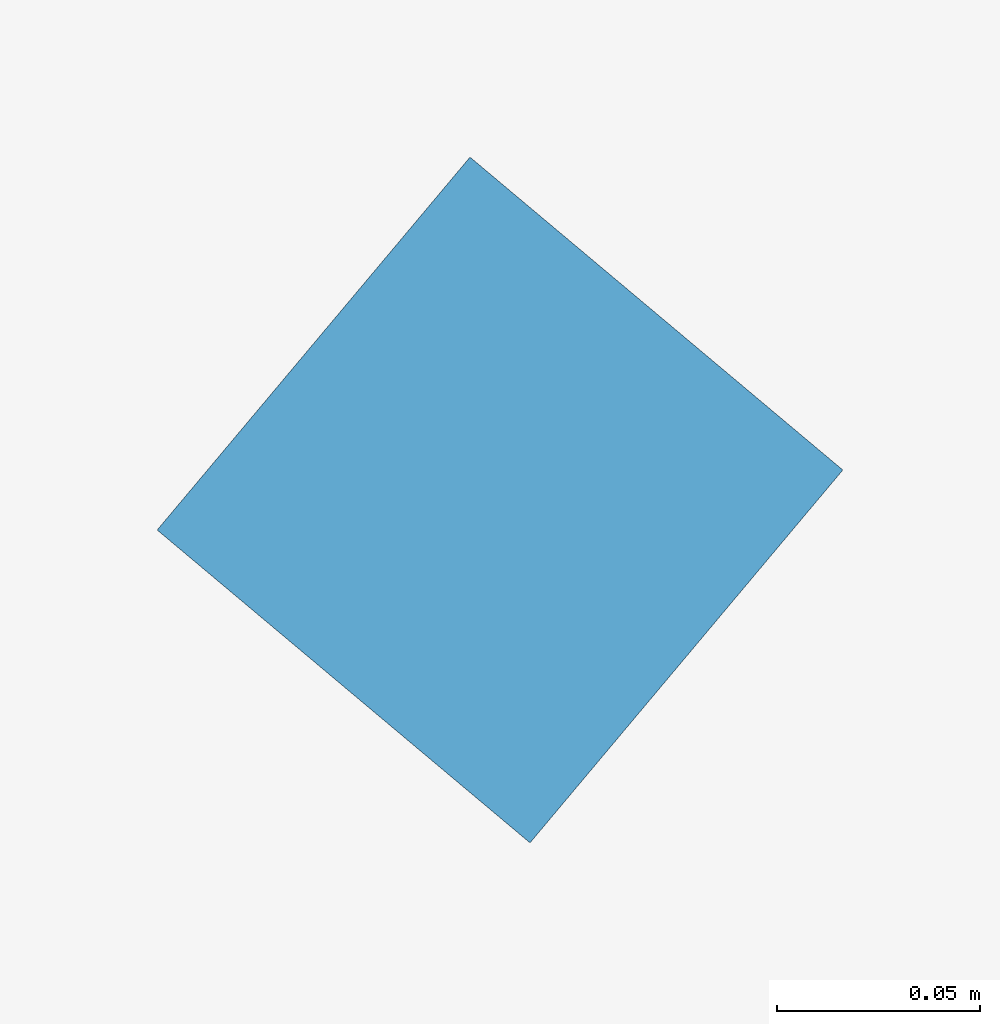
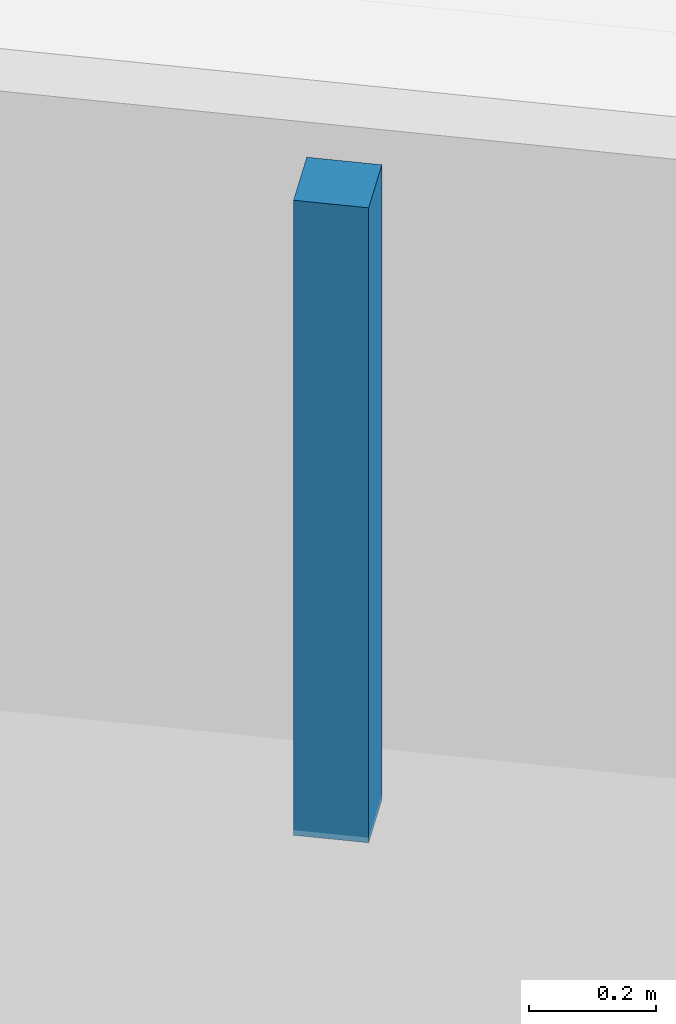
# One storey, part 14 of 17: 1 discrete accessory.
"""IFC4 building model written with IfcOpenShell, lengths in metres."""

from ifc_helpers import new_model, si_unit, direction, frame, origin, origin_2d, place, context, subcontext, project, spatial, rectangle, extrude, source, transform, mapped, material, type_object, element, save


model = new_model("IFC4")

# Units and contexts
model_context = context("Model", 3, precision=1e-05, world=origin(), true_north=direction((0.0, 1.0)))
body_context = subcontext(model_context, "Body", "Model", "MODEL_VIEW")
ifc_project = project(units=[si_unit("LENGTHUNIT", "METRE"), si_unit("AREAUNIT", "SQUARE_METRE"), si_unit("VOLUMEUNIT", "CUBIC_METRE"), si_unit("PLANEANGLEUNIT", "RADIAN"), si_unit("MASSUNIT", "GRAM", prefix="KILO")], contexts=[model_context])

# Site, building, storey
site_placement = place(None, origin())
site = spatial("IfcSite", under=ifc_project, at=site_placement, CompositionType="ELEMENT")
building_placement = place(site_placement, origin())
building = spatial("IfcBuilding", under=site, at=building_placement, Name="Torre Montelarca", CompositionType="ELEMENT")
storey_placement = place(building_placement, frame((0.0, 0.0, 220.60009765625)))
storey = spatial("IfcBuildingStorey", under=building, at=storey_placement, Name="L49", CompositionType="ELEMENT", Elevation=220.60009765625)

# Discrete accessory
ifc_material = material(Name="Galvanized steel suspension hanger", Category="steel")
discrete_accessory_type = type_object("IfcDiscreteAccessoryType", Name="ACC-CEIL-HNG", PredefinedType="BRACKET", material=ifc_material)
shared_shape = source(origin(), body_context, "Body", "SweptSolid", [
    extrude(rectangle(XDim=0.1201171875, YDim=0.1201171875, at=origin_2d()), origin(), (0.0, 0.0, 1.0), 1.219970703125),
])
discrete_accessory_placement = place(storey_placement, frame((32.37158203125, 28.621337890625, 2.759765625), z_axis=(0.0, 0.0, 1.0), x_axis=(-0.766044443119, 0.642787609687, 0.0)))
element("IfcDiscreteAccessory", 1, at=discrete_accessory_placement, inside=storey, type_object=discrete_accessory_type, Name="L49 Suspended Ceiling Hanger Bracket 01", PredefinedType="BRACKET", context=body_context, shape_type="MappedRepresentation", body=[
    mapped(shared_shape, transform((0.0, 0.0, 0.0), scale=1.0)),
])

save(model, "model.ifc")
